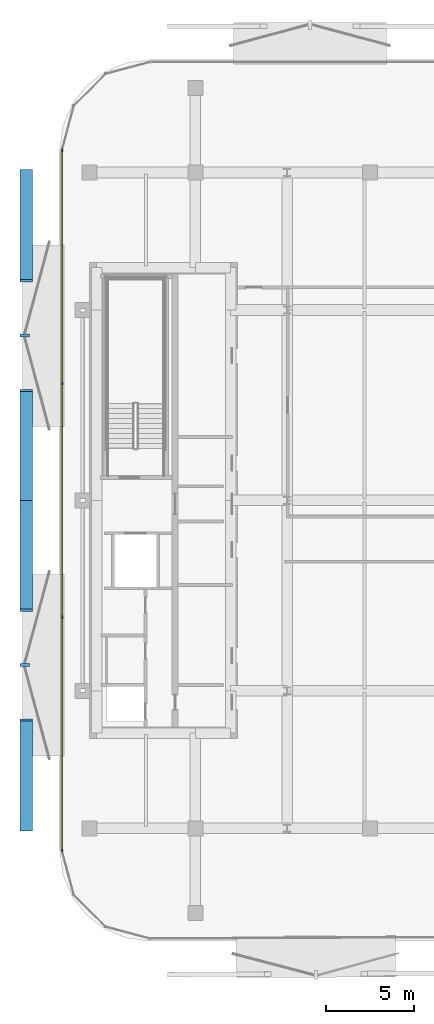
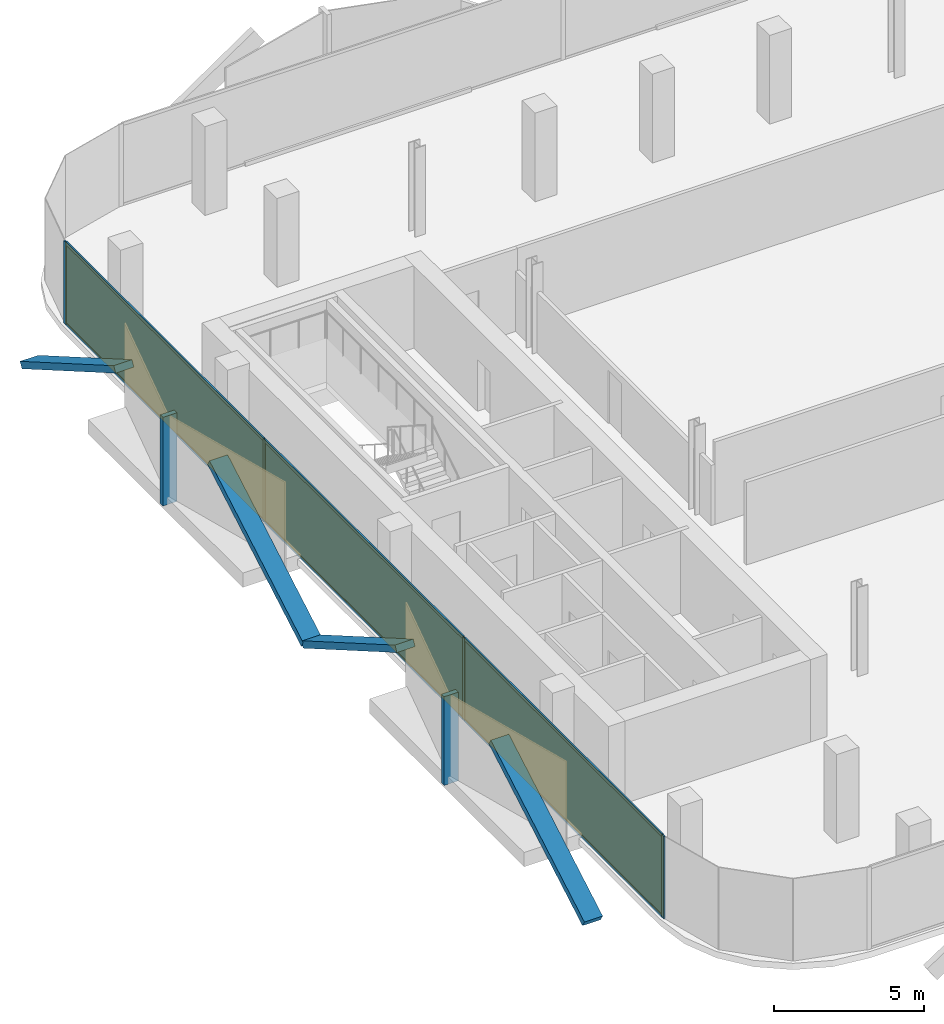
# One storey, part 6 of 11: 16 members, 3 plates, 1 curtain wall.
"""IFC4 building model written with IfcOpenShell, lengths in metres."""

from ifc_helpers import new_model, si_unit, direction, frame, frame_2d, origin, origin_2d, place, context, subcontext, project, spatial, rectangle, extrude, material, layer, layer_set, material_profile, profile_set, type_object, element, aggregate, save


model = new_model("IFC4")

# Units and contexts
model_context = context("Model", 3, precision=1e-05, world=origin(), true_north=direction((0.0, 1.0)))
body_context = subcontext(model_context, "Body", "Model", "MODEL_VIEW")
ifc_project = project(units=[si_unit("LENGTHUNIT", "METRE"), si_unit("AREAUNIT", "SQUARE_METRE"), si_unit("VOLUMEUNIT", "CUBIC_METRE"), si_unit("PLANEANGLEUNIT", "RADIAN"), si_unit("MASSUNIT", "GRAM", prefix="KILO")], contexts=[model_context])

# Member
ifc_material_1 = material(Name="Anodised Bronze Aluminium 6063-T6", Category="aluminium")
ifc_material_profile_1 = material_profile(ifc_material_1, rectangle(XDim=0.260009765625, YDim=0.699951171875, at=origin_2d()))
ifc_profile_set_1 = profile_set([ifc_material_profile_1], Name="Anodised Bronze Aluminium 6063-T6")
member_type_1 = type_object("IfcMemberType", Name="Bronze Diamond Solar-Screen Lattice Rib BDL-700", PredefinedType="MULLION", material=ifc_profile_set_1)
site_placement = place(None, origin())
building_placement = place(site_placement, origin())
storey_placement = place(building_placement, frame((0.0, 0.0, 222.39990234375)))
member_1_placement = place(storey_placement, frame((-24.0, -18.69091796875, -0.1298828125), z_axis=(0.0, 0.865848743011, 0.500305860676), x_axis=(0.0, -0.500305860676, 0.865848743011)))
member_1 = element("IfcMember", 1, at=member_1_placement, type_object=member_type_1, Name="L51 Bronze Diamond Solar Screen Lattice Rib 339A", PredefinedType="MULLION", context=body_context, shape_type="SweptSolid", body=[
    extrude(rectangle(XDim=0.260009765625, YDim=0.699951171875, at=origin_2d()), origin(), (0.0, 0.0, 1.0), 7.19580078125),
])

member_2_placement = place(storey_placement, frame((-24.0, 0.0, -0.1298828125), z_axis=(0.0, -0.865840250196, 0.500320558383), x_axis=(0.0, 0.500320558383, 0.865840250196)))
member_2 = element("IfcMember", 2, at=member_2_placement, type_object=member_type_1, Name="L51 Bronze Diamond Solar Screen Lattice Rib 339B", PredefinedType="MULLION", context=body_context, shape_type="SweptSolid", body=[
    extrude(rectangle(XDim=0.260009765625, YDim=0.699951171875, at=origin_2d()), origin(), (0.0, 0.0, 1.0), 7.195556640625),
])

member_3_placement = place(storey_placement, frame((-24.0, 0.0, -0.1298828125), z_axis=(0.0, 0.865840250196, 0.500320558383), x_axis=(0.0, -0.500320558383, 0.865840250196)))
member_3 = element("IfcMember", 3, at=member_3_placement, type_object=member_type_1, Name="L51 Bronze Diamond Solar Screen Lattice Rib 340A", PredefinedType="MULLION", context=body_context, shape_type="SweptSolid", body=[
    extrude(rectangle(XDim=0.260009765625, YDim=0.699951171875, at=origin_2d()), origin(), (0.0, 0.0, 1.0), 7.195556640625),
])

member_4_placement = place(storey_placement, frame((-24.0, 18.69091796875, -0.1298828125), z_axis=(0.0, -0.865848743011, 0.500305860676), x_axis=(0.0, 0.500305860676, 0.865848743011)))
member_4 = element("IfcMember", 4, at=member_4_placement, type_object=member_type_1, Name="L51 Bronze Diamond Solar Screen Lattice Rib 340B", PredefinedType="MULLION", context=body_context, shape_type="SweptSolid", body=[
    extrude(rectangle(XDim=0.260009765625, YDim=0.699951171875, at=origin_2d()), origin(), (0.0, 0.0, 1.0), 7.19580078125),
])

ifc_material_2 = material(Name="Anodised Bronze Aluminium 6063-T6", Category="aluminium")
ifc_material_profile_2 = material_profile(ifc_material_2, rectangle(XDim=0.179931640625, YDim=0.5400390625, at=origin_2d()))
ifc_profile_set_2 = profile_set([ifc_material_profile_2], Name="Anodised Bronze Aluminium 6063-T6")
member_type_2 = type_object("IfcMemberType", Name="Bronze Solar-Screen Vertical Fold Fin BSF-540", PredefinedType="MULLION", material=ifc_profile_set_2)
member_5_placement = place(storey_placement, frame((-24.080078125, -9.345458984375, -0.1298828125), z_axis=(0.0, 0.0, 1.0), x_axis=(0.0, 1.0, 0.0)))
member_5 = element("IfcMember", 5, at=member_5_placement, type_object=member_type_2, Name="L51 Bronze Solar Screen Vertical Fin 339", PredefinedType="MULLION", context=body_context, shape_type="SweptSolid", body=[
    extrude(rectangle(XDim=0.179931640625, YDim=0.5400390625, at=origin_2d()), origin(), (0.0, 0.0, 1.0), 3.60009765625),
])

member_6_placement = place(storey_placement, frame((-24.080078125, 9.345458984375, -0.1298828125), z_axis=(0.0, 0.0, 1.0), x_axis=(0.0, 1.0, 0.0)))
member_6 = element("IfcMember", 6, at=member_6_placement, type_object=member_type_2, Name="L51 Bronze Solar Screen Vertical Fin 340", PredefinedType="MULLION", context=body_context, shape_type="SweptSolid", body=[
    extrude(rectangle(XDim=0.179931640625, YDim=0.5400390625, at=origin_2d()), origin(), (0.0, 0.0, 1.0), 3.60009765625),
])

ifc_material_3 = material(Name="Anodised Bronze Aluminium 6063-T6", Category="aluminium")
ifc_material_profile_3 = material_profile(ifc_material_3, rectangle(XDim=0.06005859375, YDim=0.159912109375, at=origin_2d()))
ifc_profile_set_3 = profile_set([ifc_material_profile_3], Name="Anodised Bronze Aluminium 6063-T6")
member_type_3 = type_object("IfcMemberType", Name="CW-Z4 Mullion 60x160", PredefinedType="MULLION", material=ifc_profile_set_3)
member_7_placement = place(storey_placement, frame((-21.9599609375, -19.86083984375, 0.0), z_axis=(0.0, 0.0, 1.0), x_axis=(-1.0, 0.0, 0.0)))
member_7 = element("IfcMember", 7, at=member_7_placement, type_object=member_type_3, Name="CW-Z4 mullion 1", PredefinedType="MULLION", context=body_context, shape_type="SweptSolid", body=[
    extrude(rectangle(XDim=0.06005859375, YDim=0.159912109375, at=origin_2d()), origin(), (0.0, 0.0, 1.0), 3.340087890625),
])

member_8_placement = place(storey_placement, frame((-21.9599609375, -6.63037109375, 0.0), z_axis=(0.0, 0.0, 1.0), x_axis=(-1.0, 0.0, 0.0)))
member_8 = element("IfcMember", 8, at=member_8_placement, type_object=member_type_3, Name="CW-Z4 mullion 2", PredefinedType="MULLION", context=body_context, shape_type="SweptSolid", body=[
    extrude(rectangle(XDim=0.06005859375, YDim=0.159912109375, at=origin_2d()), origin(), (0.0, 0.0, 1.0), 3.340087890625),
])

member_9_placement = place(storey_placement, frame((-21.9599609375, 6.63037109375, 0.0), z_axis=(0.0, 0.0, 1.0), x_axis=(-1.0, 0.0, 0.0)))
member_9 = element("IfcMember", 9, at=member_9_placement, type_object=member_type_3, Name="CW-Z4 mullion 3", PredefinedType="MULLION", context=body_context, shape_type="SweptSolid", body=[
    extrude(rectangle(XDim=0.06005859375, YDim=0.159912109375, at=origin_2d()), origin(), (0.0, 0.0, 1.0), 3.340087890625),
])

member_10_placement = place(storey_placement, frame((-21.9599609375, 19.86083984375, 0.0), z_axis=(0.0, 0.0, 1.0), x_axis=(-1.0, 0.0, 0.0)))
member_10 = element("IfcMember", 10, at=member_10_placement, type_object=member_type_3, Name="CW-Z4 mullion 4", PredefinedType="MULLION", context=body_context, shape_type="SweptSolid", body=[
    extrude(rectangle(XDim=0.06005859375, YDim=0.159912109375, at=origin_2d()), origin(), (0.0, 0.0, 1.0), 3.340087890625),
])

ifc_material_4 = material(Name="Anodised Bronze Aluminium 6063-T6", Category="aluminium")
ifc_material_profile_4 = material_profile(ifc_material_4, rectangle(XDim=0.06005859375, YDim=0.125, at=origin_2d()))
ifc_profile_set_4 = profile_set([ifc_material_profile_4], Name="Anodised Bronze Aluminium 6063-T6")
member_type_4 = type_object("IfcMemberType", Name="CW-Z4 Transom 60x125", PredefinedType="USERDEFINED", material=ifc_profile_set_4)
member_11_placement = place(storey_placement, frame((-21.9599609375, -19.830810546875, 0.030029296875), z_axis=(0.0, 1.0, 0.0), x_axis=(-1.0, 0.0, 0.0)))
member_11 = element("IfcMember", 11, at=member_11_placement, type_object=member_type_4, Name="CW-Z4 transom 1.1", ObjectType="TRANSOM", PredefinedType="USERDEFINED", context=body_context, shape_type="SweptSolid", body=[
    extrude(rectangle(XDim=0.06005859375, YDim=0.125, at=origin_2d()), origin(), (0.0, 0.0, 1.0), 13.170654296875),
])

member_12_placement = place(storey_placement, frame((-21.9599609375, -19.830810546875, 3.31005859375), z_axis=(0.0, 1.0, 0.0), x_axis=(-1.0, 0.0, 0.0)))
member_12 = element("IfcMember", 12, at=member_12_placement, type_object=member_type_4, Name="CW-Z4 transom 1.2", ObjectType="TRANSOM", PredefinedType="USERDEFINED", context=body_context, shape_type="SweptSolid", body=[
    extrude(rectangle(XDim=0.06005859375, YDim=0.125, at=origin_2d()), origin(), (0.0, 0.0, 1.0), 13.170654296875),
])

member_13_placement = place(storey_placement, frame((-21.9599609375, -6.600341796875, 0.030029296875), z_axis=(0.0, 1.0, 0.0), x_axis=(-1.0, 0.0, 0.0)))
member_13 = element("IfcMember", 13, at=member_13_placement, type_object=member_type_4, Name="CW-Z4 transom 2.1", ObjectType="TRANSOM", PredefinedType="USERDEFINED", context=body_context, shape_type="SweptSolid", body=[
    extrude(rectangle(XDim=0.06005859375, YDim=0.125, at=origin_2d()), origin(), (0.0, 0.0, 1.0), 13.20068359375),
])

member_14_placement = place(storey_placement, frame((-21.9599609375, -6.600341796875, 3.31005859375), z_axis=(0.0, 1.0, 0.0), x_axis=(-1.0, 0.0, 0.0)))
member_14 = element("IfcMember", 14, at=member_14_placement, type_object=member_type_4, Name="CW-Z4 transom 2.2", ObjectType="TRANSOM", PredefinedType="USERDEFINED", context=body_context, shape_type="SweptSolid", body=[
    extrude(rectangle(XDim=0.06005859375, YDim=0.125, at=origin_2d()), origin(), (0.0, 0.0, 1.0), 13.20068359375),
])

member_15_placement = place(storey_placement, frame((-21.9599609375, 6.66015625, 0.030029296875), z_axis=(0.0, 1.0, 0.0), x_axis=(-1.0, 0.0, 0.0)))
member_15 = element("IfcMember", 15, at=member_15_placement, type_object=member_type_4, Name="CW-Z4 transom 3.1", ObjectType="TRANSOM", PredefinedType="USERDEFINED", context=body_context, shape_type="SweptSolid", body=[
    extrude(rectangle(XDim=0.06005859375, YDim=0.125, at=origin_2d()), origin(), (0.0, 0.0, 1.0), 13.170654296875),
])

member_16_placement = place(storey_placement, frame((-21.9599609375, 6.66015625, 3.31005859375), z_axis=(0.0, 1.0, 0.0), x_axis=(-1.0, 0.0, 0.0)))
member_16 = element("IfcMember", 16, at=member_16_placement, type_object=member_type_4, Name="CW-Z4 transom 3.2", ObjectType="TRANSOM", PredefinedType="USERDEFINED", context=body_context, shape_type="SweptSolid", body=[
    extrude(rectangle(XDim=0.06005859375, YDim=0.125, at=origin_2d()), origin(), (0.0, 0.0, 1.0), 13.170654296875),
])

# Plate
ifc_material_5 = material(Name="Low-E Solar Control Laminated Glass", Category="glass")
ifc_layer_1 = layer(ifc_material_5, 0.030029296875, Name="Low-E Solar Control Laminated Glass")
ifc_layer_set_1 = layer_set([ifc_layer_1], Name="Low-E Solar Control Laminated Glass")
plate_type = type_object("IfcPlateType", Name="CW-Z4 Low-E Double Glazed Panel 30mm", PredefinedType="CURTAIN_PANEL", material=ifc_layer_set_1)
plate_1_placement = place(storey_placement, frame((-21.9599609375, -13.24560546875, 0.06005859375), z_axis=(0.0, 0.0, 1.0), x_axis=(0.0, 1.0, 0.0)))
plate_1 = element("IfcPlate", 17, at=plate_1_placement, type_object=plate_type, Name="CW-Z4 panel 1.1", PredefinedType="CURTAIN_PANEL", context=body_context, shape_type="SweptSolid", body=[
    extrude(rectangle(XDim=13.170654296875, YDim=0.030029296875, at=origin_2d()), origin(), (0.0, 0.0, 1.0), 3.219970703125),
])

plate_2_placement = place(storey_placement, frame((-21.9599609375, 0.0, 0.06005859375), z_axis=(0.0, 0.0, 1.0), x_axis=(0.0, 1.0, 0.0)))
plate_2 = element("IfcPlate", 18, at=plate_2_placement, type_object=plate_type, Name="CW-Z4 panel 2.1", PredefinedType="CURTAIN_PANEL", context=body_context, shape_type="SweptSolid", body=[
    extrude(rectangle(XDim=13.200439453125, YDim=0.030029296875, at=origin_2d()), origin(), (0.0, 0.0, 1.0), 3.219970703125),
])

plate_3_placement = place(storey_placement, frame((-21.9599609375, 13.24560546875, 0.06005859375), z_axis=(0.0, 0.0, 1.0), x_axis=(0.0, 1.0, 0.0)))
plate_3 = element("IfcPlate", 19, at=plate_3_placement, type_object=plate_type, Name="CW-Z4 panel 3.1", PredefinedType="CURTAIN_PANEL", context=body_context, shape_type="SweptSolid", body=[
    extrude(rectangle(XDim=13.170654296875, YDim=0.030029296875, at=origin_2d()), origin(), (0.0, 0.0, 1.0), 3.219970703125),
])

# Site, building, storey
site = spatial("IfcSite", under=ifc_project, at=site_placement, CompositionType="ELEMENT")
building = spatial("IfcBuilding", under=site, at=building_placement, Name="Khairoan Windgate Tower", CompositionType="ELEMENT")
storey = spatial("IfcBuildingStorey", under=building, at=storey_placement, Name="L51", CompositionType="ELEMENT", Elevation=222.39990234375)

# Curtain wall
ifc_material_6 = material(Name="Anodised Bronze Aluminium 6063-T6", Category="aluminium")
ifc_layer_2 = layer(ifc_material_6, 0.159912109375, Name="Anodised Bronze Aluminium 6063-T6")
ifc_layer_set_2 = layer_set([ifc_layer_2], Name="Anodised Bronze Aluminium 6063-T6")
curtain_wall_type = type_object("IfcCurtainWallType", Name="Sky Residence Unitised Curtain Wall CW-Z4", PredefinedType="NOTDEFINED", material=ifc_layer_set_2)
curtain_wall_placement = place(storey_placement, frame((-21.9599609375, -19.890869140625, 0.0), z_axis=(0.0, 0.0, 1.0), x_axis=(0.0, 1.0, 0.0)))
curtain_wall = element("IfcCurtainWall", 20, at=curtain_wall_placement, inside=storey, type_object=curtain_wall_type, Name="L51 Unitised Curtain Wall 5", PredefinedType="NOTDEFINED", context=body_context, shape_type="SweptSolid", body=[
    extrude(rectangle(XDim=39.78173828125, YDim=0.010009765625, at=frame_2d((19.890869140625, 0.0))), origin(), (0.0, 0.0, 1.0), 3.340087890625),
])

aggregate(curtain_wall, [member_7, member_8, member_9, member_10, member_11, member_12, plate_1, member_13, member_14, plate_2, member_15, member_16, plate_3, member_1, member_2, member_5, member_3, member_4, member_6])

save(model, "model.ifc")
